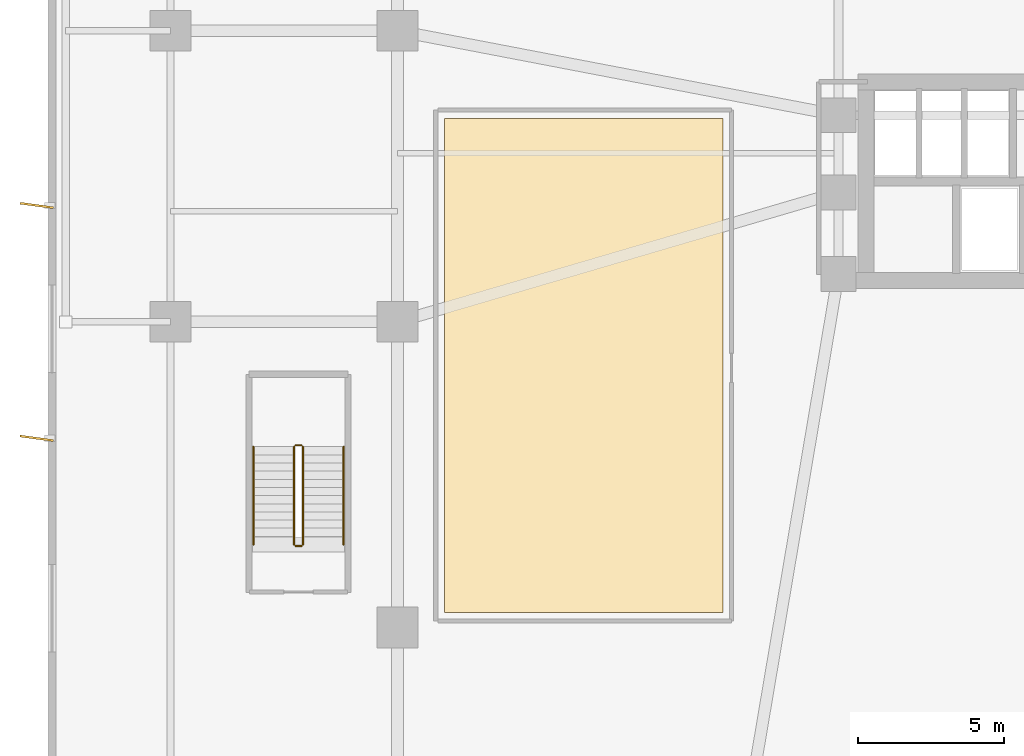
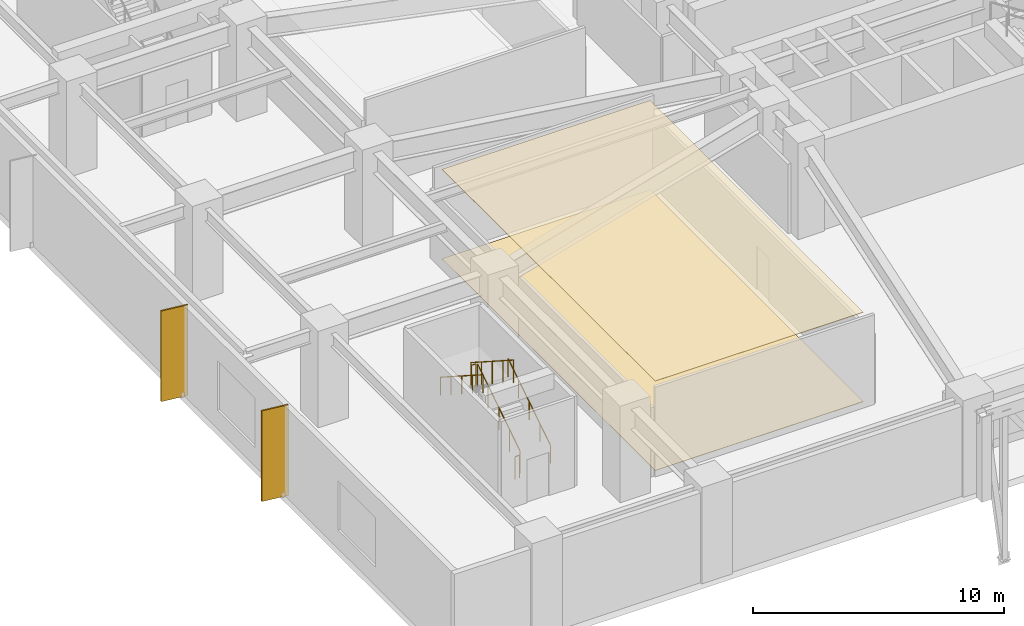
# One storey, part 16 of 21: 6 railings, 2 coverings, 2 shading devices.
"""IFC4 building model written with IfcOpenShell, lengths in metres."""

from ifc_helpers import new_model, si_unit, direction, frame, origin, origin_2d, place, context, subcontext, project, spatial, polyline, rectangle, circle, outline, extrude, material, layer, layer_set, type_object, element, save


model = new_model("IFC4")

# Units and contexts
model_context = context("Model", 3, precision=1e-05, world=origin(), true_north=direction((0.0, 1.0)))
body_context = subcontext(model_context, "Body", "Model", "MODEL_VIEW")
ifc_project = project(units=[si_unit("LENGTHUNIT", "METRE"), si_unit("AREAUNIT", "SQUARE_METRE"), si_unit("VOLUMEUNIT", "CUBIC_METRE"), si_unit("PLANEANGLEUNIT", "RADIAN"), si_unit("MASSUNIT", "GRAM", prefix="KILO")], contexts=[model_context])

# Site, building, storey
site_placement = place(None, origin())
site = spatial("IfcSite", under=ifc_project, at=site_placement, CompositionType="ELEMENT")
building_placement = place(site_placement, origin())
building = spatial("IfcBuilding", under=site, at=building_placement, Name="Solmarez Civic Tower", CompositionType="ELEMENT")
storey_placement = place(building_placement, frame((0.0, 0.0, 10.080078125)))
storey = spatial("IfcBuildingStorey", under=building, at=storey_placement, Name="L02", CompositionType="ELEMENT", Elevation=10.080078125)

# Coverings
ifc_material_1 = material(Name="Perforated Mineral-Fibre Acoustic Ceiling")
ifc_layer_1 = layer(ifc_material_1, 0.02490234375)
ifc_layer_set_1 = layer_set([ifc_layer_1], Name="Perforated Mineral-Fibre Acoustic Ceiling")
covering_type_1 = type_object("IfcCoveringType", Name="COV-CEIL-ACOUSTIC", PredefinedType="CEILING", material=ifc_layer_set_1)
covering_1_placement = place(storey_placement, frame((0.0, 0.0, 4.3349609375)))
element("IfcCovering", 1, at=covering_1_placement, inside=storey, type_object=covering_type_1, Name="L02 Suspended Acoustic Ceiling 1", PredefinedType="CEILING", context=body_context, shape_type="SweptSolid", body=[
    extrude(outline(polyline([(-12.820068359375, -19.97998046875), (-12.820068359375, -3.02001953125), (-22.3798828125, -3.02001953125), (-22.3798828125, -19.97998046875), (-12.820068359375, -19.97998046875)])), origin(), (0.0, 0.0, 1.0), 0.02490234375),
])
ifc_material_2 = material(Name="Polished Tropical Stone Terrazzo Flooring", Category="masonry")
ifc_layer_2 = layer(ifc_material_2, 0.02001953125)
ifc_layer_set_2 = layer_set([ifc_layer_2], Name="Polished Tropical Stone Terrazzo Flooring")
covering_type_2 = type_object("IfcCoveringType", Name="COV-FLOOR-TERRAZZO", PredefinedType="FLOORING", material=ifc_layer_set_2)
covering_2_placement = place(storey_placement, origin())
element("IfcCovering", 2, at=covering_2_placement, inside=storey, type_object=covering_type_2, Name="L02 Terrazzo Floor Finish 1", PredefinedType="FLOORING", context=body_context, shape_type="SweptSolid", body=[
    extrude(outline(polyline([(-12.820068359375, -19.97998046875), (-12.820068359375, -3.02001953125), (-22.3798828125, -3.02001953125), (-22.3798828125, -19.97998046875), (-12.820068359375, -19.97998046875)])), origin(), (0.0, 0.0, 1.0), 0.02001953125),
])

# Shading devices
ifc_material_3 = material(Name="Bronze Anodised Aluminium EN AW-6063 T6", Category="aluminium")
ifc_layer_3 = layer(ifc_material_3, 0.070068359375)
ifc_layer_set_3 = layer_set([ifc_layer_3], Name="Bronze Anodised Aluminium EN AW-6063 T6")
shading_device_type = type_object("IfcShadingDeviceType", Name="FIN-BRONZE-POD", PredefinedType="USERDEFINED", material=ifc_layer_set_3)
for number, where, z_axis, x_axis, name in (
    (3, (-36.39501953125, -14.0, -0.0400390625), (0.0, 0.0, 1.0), (-0.990983199715, 0.133986185418, 0.0), "L02 Anodised Bronze Solar Fin FIN-L02-W1"),
    (4, (-36.39501953125, -6.0, -0.0400390625), (0.0, 0.0, 1.0), (-0.990983199715, 0.133986185418, 0.0), "L02 Anodised Bronze Solar Fin FIN-L02-W2"),
):
    element("IfcShadingDevice", number, at=place(storey_placement, frame(where, z_axis=z_axis, x_axis=x_axis)), inside=storey, type_object=shading_device_type, Name=name, ObjectType="FIN", PredefinedType="USERDEFINED", context=body_context, shape_type="SweptSolid", body=[
        extrude(rectangle(XDim=1.14990234375, YDim=0.070068359375, at=origin_2d()), origin(), (0.0, 0.0, 1.0), 4.39990234375),
    ])

# Railings
ifc_material_4 = material(Name="Painted Steel Stairwell Safety Guard", Category="steel")
railing_type_1 = type_object("IfcRailingType", Name="GUARD-STAIR-1120", PredefinedType="BALUSTRADE", material=ifc_material_4)
railing_1_placement = place(storey_placement, frame((-27.25, -17.64990234375, 0.179931640625)))
element("IfcRailing", 5, at=railing_1_placement, inside=storey, type_object=railing_type_1, Name="L02 ST-P1 stair guard 1", PredefinedType="BALUSTRADE", context=body_context, shape_type="SweptSolid", body=[
    extrude(circle(Radius=0.02392578125, at=origin_2d()), frame((0.0, 0.0, 1.09619140625), z_axis=(0.0, 0.841178475377, 0.540757591313), x_axis=(-1.0, 0.0, 0.0)), (0.0, 0.0, 1.0), 3.994140625),
    extrude(circle(Radius=0.02099609375, at=origin_2d()), origin(), (0.0, 0.0, 1.0), 1.072021484375),
    extrude(circle(Radius=0.02099609375, at=origin_2d()), frame((0.0, 0.83984375, 0.5400390625)), (0.0, 0.0, 1.0), 1.072021484375),
    extrude(circle(Radius=0.02099609375, at=origin_2d()), frame((0.0, 1.679931640625, 1.080078125)), (0.0, 0.0, 1.0), 1.072021484375),
    extrude(circle(Radius=0.02099609375, at=origin_2d()), frame((0.0, 2.52001953125, 1.619873046875)), (0.0, 0.0, 1.0), 1.072021484375),
    extrude(circle(Radius=0.02099609375, at=origin_2d()), frame((0.0, 3.35986328125, 2.159912109375)), (0.0, 0.0, 1.0), 1.072021484375),
])
railing_2_placement = place(storey_placement, frame((-27.300048828125, -14.239990234375, 2.33984375)))
element("IfcRailing", 6, at=railing_2_placement, inside=storey, type_object=railing_type_1, Name="L02 ST-P1 stair guard 2", PredefinedType="BALUSTRADE", context=body_context, shape_type="SweptSolid", body=[
    extrude(circle(Radius=0.02392578125, at=origin_2d()), frame((0.0, 0.0, 1.09619140625), z_axis=(-1.0, 0.0, 0.0), x_axis=(0.0, -1.0, 0.0)), (0.0, 0.0, 1.0), 0.199951171875),
    extrude(circle(Radius=0.02099609375, at=origin_2d()), origin(), (0.0, 0.0, 1.0), 1.072021484375),
    extrude(circle(Radius=0.02099609375, at=origin_2d()), frame((-0.199951171875, 0.0, 0.0)), (0.0, 0.0, 1.0), 1.072021484375),
])
railing_3_placement = place(storey_placement, frame((-27.550048828125, -14.2900390625, 2.52001953125)))
element("IfcRailing", 7, at=railing_3_placement, inside=storey, type_object=railing_type_1, Name="L02 ST-P1 stair guard 3", PredefinedType="BALUSTRADE", context=body_context, shape_type="SweptSolid", body=[
    extrude(circle(Radius=0.02392578125, at=origin_2d()), frame((0.0, 0.0, 1.09619140625), z_axis=(0.0, -0.841178475377, 0.540757591313), x_axis=(1.0, 0.0, 0.0)), (0.0, 0.0, 1.0), 3.994140625),
    extrude(circle(Radius=0.02099609375, at=origin_2d()), origin(), (0.0, 0.0, 1.0), 1.072021484375),
    extrude(circle(Radius=0.02099609375, at=origin_2d()), frame((0.0, -0.83984375, 0.5400390625)), (0.0, 0.0, 1.0), 1.072021484375),
    extrude(circle(Radius=0.02099609375, at=origin_2d()), frame((0.0, -1.679931640625, 1.080078125)), (0.0, 0.0, 1.0), 1.072021484375),
    extrude(circle(Radius=0.02099609375, at=origin_2d()), frame((0.0, -2.52001953125, 1.619873046875)), (0.0, 0.0, 1.0), 1.072021484375),
    extrude(circle(Radius=0.02099609375, at=origin_2d()), frame((0.0, -3.35986328125, 2.159912109375)), (0.0, 0.0, 1.0), 1.072021484375),
])
railing_4_placement = place(storey_placement, frame((-27.300048828125, -17.699951171875, 0.0)))
element("IfcRailing", 8, at=railing_4_placement, inside=storey, type_object=railing_type_1, Name="L02 ST-P1 stair guard 4", PredefinedType="BALUSTRADE", context=body_context, shape_type="SweptSolid", body=[
    extrude(circle(Radius=0.02392578125, at=origin_2d()), frame((0.0, 0.0, 1.09619140625), z_axis=(-1.0, 0.0, 0.0), x_axis=(0.0, -1.0, 0.0)), (0.0, 0.0, 1.0), 0.199951171875),
    extrude(circle(Radius=0.02099609375, at=origin_2d()), origin(), (0.0, 0.0, 1.0), 1.072021484375),
    extrude(circle(Radius=0.02099609375, at=origin_2d()), frame((-0.199951171875, 0.0, 0.0)), (0.0, 0.0, 1.0), 1.072021484375),
])
ifc_material_5 = material(Name="Brushed Stainless Steel Tube Handrail", Category="steel")
railing_type_2 = type_object("IfcRailingType", Name="HANDRAIL-STAIR-900", PredefinedType="HANDRAIL", material=ifc_material_5)
railing_5_placement = place(storey_placement, frame((-25.85009765625, -17.64990234375, 0.179931640625)))
element("IfcRailing", 9, at=railing_5_placement, inside=storey, type_object=railing_type_2, Name="L02 ST-P1 stair handrail 1", PredefinedType="HANDRAIL", context=body_context, shape_type="SweptSolid", body=[
    extrude(circle(Radius=0.02392578125, at=origin_2d()), frame((0.0, 0.0, 0.8759765625), z_axis=(0.0, 0.841178475377, 0.540757591313), x_axis=(-1.0, 0.0, 0.0)), (0.0, 0.0, 1.0), 3.994140625),
    extrude(circle(Radius=0.02099609375, at=origin_2d()), origin(), (0.0, 0.0, 1.0), 0.851806640625),
    extrude(circle(Radius=0.02099609375, at=origin_2d()), frame((0.0, 0.83984375, 0.5400390625)), (0.0, 0.0, 1.0), 0.851806640625),
    extrude(circle(Radius=0.02099609375, at=origin_2d()), frame((0.0, 1.679931640625, 1.080078125)), (0.0, 0.0, 1.0), 0.851806640625),
    extrude(circle(Radius=0.02099609375, at=origin_2d()), frame((0.0, 2.52001953125, 1.619873046875)), (0.0, 0.0, 1.0), 0.851806640625),
    extrude(circle(Radius=0.02099609375, at=origin_2d()), frame((0.0, 3.35986328125, 2.159912109375)), (0.0, 0.0, 1.0), 0.851806640625),
])
railing_6_placement = place(storey_placement, frame((-28.949951171875, -14.2900390625, 2.52001953125)))
element("IfcRailing", 10, at=railing_6_placement, inside=storey, type_object=railing_type_2, Name="L02 ST-P1 stair handrail 2", PredefinedType="HANDRAIL", context=body_context, shape_type="SweptSolid", body=[
    extrude(circle(Radius=0.02392578125, at=origin_2d()), frame((0.0, 0.0, 0.8759765625), z_axis=(0.0, -0.841178475377, 0.540757591313), x_axis=(1.0, 0.0, 0.0)), (0.0, 0.0, 1.0), 3.994140625),
    extrude(circle(Radius=0.02099609375, at=origin_2d()), origin(), (0.0, 0.0, 1.0), 0.851806640625),
    extrude(circle(Radius=0.02099609375, at=origin_2d()), frame((0.0, -0.83984375, 0.5400390625)), (0.0, 0.0, 1.0), 0.851806640625),
    extrude(circle(Radius=0.02099609375, at=origin_2d()), frame((0.0, -1.679931640625, 1.080078125)), (0.0, 0.0, 1.0), 0.851806640625),
    extrude(circle(Radius=0.02099609375, at=origin_2d()), frame((0.0, -2.52001953125, 1.619873046875)), (0.0, 0.0, 1.0), 0.851806640625),
    extrude(circle(Radius=0.02099609375, at=origin_2d()), frame((0.0, -3.35986328125, 2.159912109375)), (0.0, 0.0, 1.0), 0.851806640625),
])

save(model, "model.ifc")
